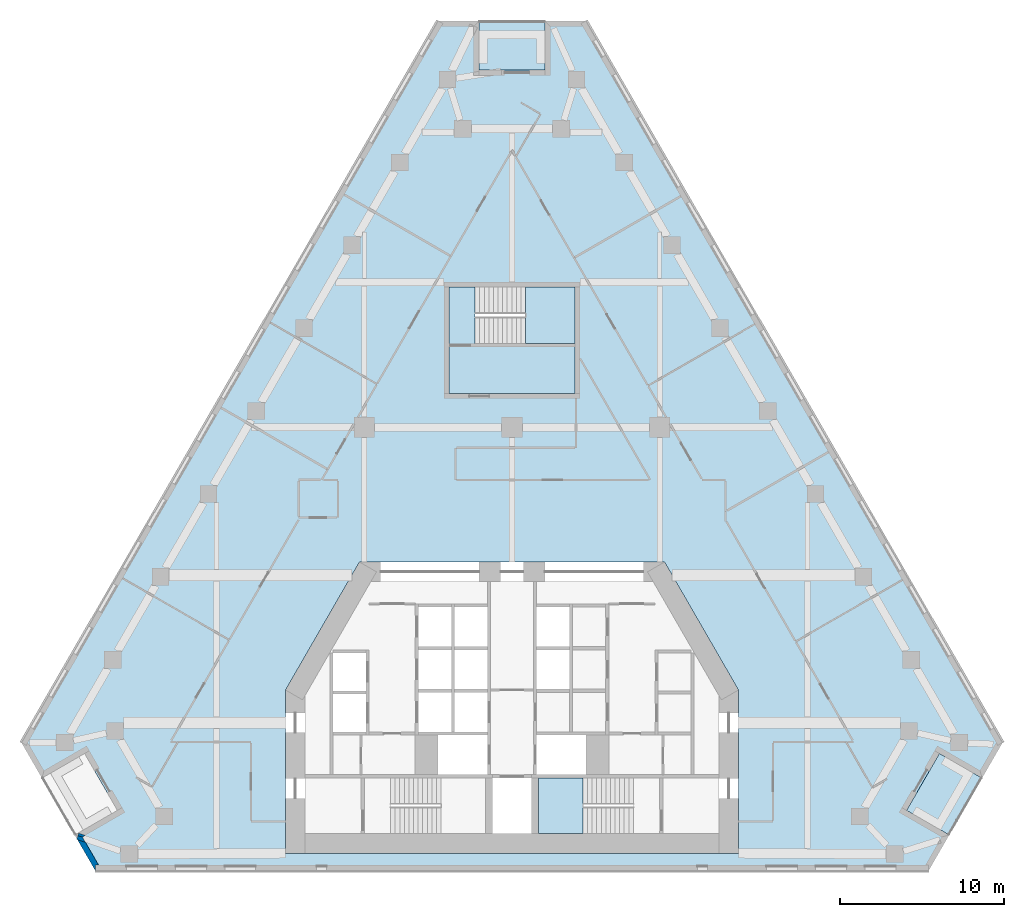
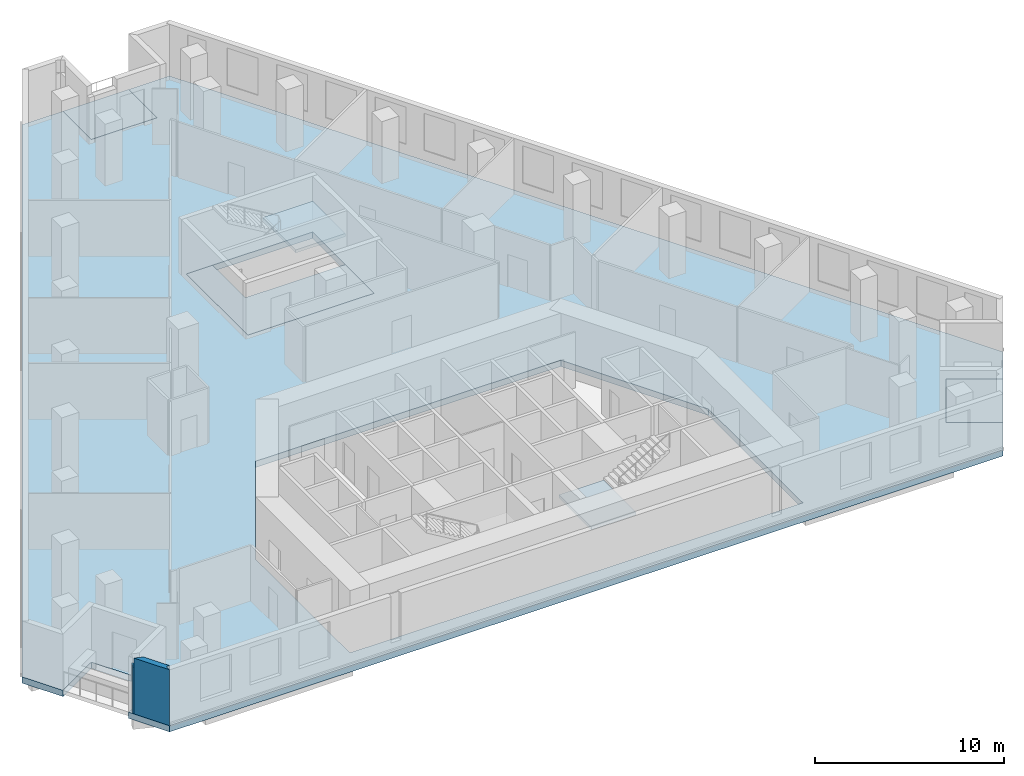
# One storey, part 2 of 10: 6 slabs, 3 walls, 2 elements without a shape of their own.
"""IFC4 building model written with IfcOpenShell, lengths in metres."""

from ifc_helpers import new_model, si_unit, direction, frame, origin, place, context, subcontext, project, spatial, polyline, outline, extrude, material, layer, layer_set, type_object, element, aggregate, save


model = new_model("IFC4")

# Units and contexts
model_context = context("Model", 3, precision=1e-05, world=origin(), true_north=direction((0.0, 1.0)))
body_context = subcontext(model_context, "Body", "Model", "MODEL_VIEW")
ifc_project = project(units=[si_unit("LENGTHUNIT", "METRE"), si_unit("AREAUNIT", "SQUARE_METRE"), si_unit("VOLUMEUNIT", "CUBIC_METRE"), si_unit("PLANEANGLEUNIT", "RADIAN"), si_unit("MASSUNIT", "GRAM", prefix="KILO")], contexts=[model_context])

# Site, building, storey
site_placement = place(None, origin())
site = spatial("IfcSite", under=ifc_project, at=site_placement, CompositionType="ELEMENT")
building_placement = place(site_placement, origin())
building = spatial("IfcBuilding", under=site, at=building_placement, Name="Fogline Exchange Tower", CompositionType="ELEMENT")
storey_placement = place(building_placement, frame((0.0, 0.0, 124.10009765625)))
storey = spatial("IfcBuildingStorey", under=building, at=storey_placement, Name="L27", CompositionType="ELEMENT", Elevation=124.10009765625)

# Slabs
ifc_material_1 = material(Name="Concrete C40", Category="concrete")
ifc_layer_1 = layer(ifc_material_1, 0.25)
ifc_layer_set_1 = layer_set([ifc_layer_1], Name="DK1")
slab_type_1 = type_object("IfcSlabType", Name="DK1", PredefinedType="FLOOR", material=ifc_layer_set_1)
slab_1_placement = place(storey_placement, frame((0.0, 0.0, -0.25)))
element("IfcSlab", 1, at=slab_1_placement, inside=storey, type_object=slab_type_1, Name="Balcony L27 SE", PredefinedType="FLOOR", context=body_context, shape_type="SweptSolid", body=[
    extrude(outline(polyline([(26.643310546875, 2.1650390625), (28.643310546875, 5.629150390625), (26.045166015625, 7.129150390625), (24.045166015625, 3.6650390625), (26.643310546875, 2.1650390625)])), origin(), (0.0, 0.0, 1.0), 0.25),
])
slab_2_placement = place(storey_placement, frame((0.0, 0.0, -0.25)))
element("IfcSlab", 2, at=slab_2_placement, inside=storey, type_object=slab_type_1, Name="Balcony L27 N", PredefinedType="FLOOR", context=body_context, shape_type="SweptSolid", body=[
    extrude(outline(polyline([(2.0, 51.776611328125), (-2.0, 51.776611328125), (-2.0, 48.776611328125), (2.0, 48.776611328125), (2.0, 51.776611328125)])), origin(), (0.0, 0.0, 1.0), 0.25),
])
ifc_layer_2 = layer(ifc_material_1, 0.39990234375)
ifc_layer_set_2 = layer_set([ifc_layer_2], Name="S03")
slab_type_2 = type_object("IfcSlabType", Name="S03", PredefinedType="FLOOR", material=ifc_layer_set_2)
slab_3_placement = place(storey_placement, frame((0.0, 0.0, -0.400146484375)))
element("IfcSlab", 3, at=slab_3_placement, inside=storey, type_object=slab_type_2, Name="SLAB L27", PredefinedType="FLOOR", context=body_context, shape_type="SweptSolid", body=[
    extrude(outline(polyline([(-2.0, 51.776611328125), (-4.5, 51.776611328125), (-29.893310546875, 7.794189453125), (-28.643310546875, 5.629150390625), (-26.045166015625, 7.129150390625), (-24.045166015625, 3.6650390625), (-26.643310546875, 2.1650390625), (-25.393310546875, 0.0), (25.393310546875, 0.0), (26.643310546875, 2.1650390625), (24.045166015625, 3.6650390625), (26.045166015625, 7.129150390625), (28.643310546875, 5.629150390625), (29.893310546875, 7.794189453125), (4.5, 51.776611328125), (2.0, 51.776611328125), (2.0, 48.776611328125), (-2.0, 48.776611328125), (-2.0, 51.776611328125)]), holes=[polyline([(13.800048828125, 10.9990234375), (13.800048828125, 1.050048828125), (-13.800048828125, 1.050048828125), (-13.800048828125, 10.9990234375), (-9.296142578125, 18.800048828125), (9.296142578125, 18.800048828125), (13.800048828125, 10.9990234375)]), polyline([(3.85009765625, 35.556884765625), (3.85009765625, 29.056884765625), (-3.85009765625, 29.056884765625), (-3.85009765625, 35.556884765625), (3.85009765625, 35.556884765625)])]), origin(), (0.0, 0.0, 1.0), 0.400146484375),
])
slab_4_placement = place(storey_placement, frame((0.0, 0.0, -0.400146484375)))
element("IfcSlab", 4, at=slab_4_placement, inside=storey, type_object=slab_type_2, Name="Stair enclosure floor slab", PredefinedType="FLOOR", context=body_context, shape_type="SweptSolid", body=[
    extrude(outline(polyline([(3.85009765625, 29.056884765625), (-3.85009765625, 29.056884765625), (-3.85009765625, 35.556884765625), (-2.239990234375, 35.556884765625), (-2.239990234375, 32.10693359375), (3.85009765625, 32.10693359375), (3.85009765625, 29.056884765625)])), origin(), (0.0, 0.0, 1.0), 0.400146484375),
])

# Stair, slab
stair_type = type_object("IfcStairType", Name="STR24-1667", PredefinedType="HALF_TURN_STAIR", material=ifc_material_1)
stair_1_placement = place(storey_placement, origin())
stair_1 = element("IfcStair", 5, at=stair_1_placement, inside=storey, type_object=stair_type, Name="Stair ST2", PredefinedType="HALF_TURN_STAIR")
ifc_layer_3 = layer(ifc_material_1, 0.199951171875)
ifc_layer_set_3 = layer_set([ifc_layer_3], Name="SL200")
slab_type_3 = type_object("IfcSlabType", Name="SL200", PredefinedType="LANDING", material=ifc_layer_set_3)
slab_5_placement = place(storey_placement, frame((0.0, 0.0, 1.7998046875)))
slab_5 = element("IfcSlab", 6, at=slab_5_placement, type_object=slab_type_3, Name="ST2 landing 1", PredefinedType="LANDING", context=body_context, shape_type="SweptSolid", body=[
    extrude(outline(polyline([(1.60009765625, 2.25), (4.320068359375, 2.25), (4.320068359375, 5.64990234375), (1.60009765625, 5.64990234375), (1.60009765625, 2.25)])), origin(), (0.0, 0.0, 1.0), 0.2001953125),
])
aggregate(stair_1, [slab_5])

stair_2_placement = place(storey_placement, origin())
stair_2 = element("IfcStair", 7, at=stair_2_placement, inside=storey, type_object=stair_type, Name="Stair ST3", PredefinedType="HALF_TURN_STAIR")
slab_6_placement = place(storey_placement, frame((0.0, 0.0, 1.7998046875)))
slab_6 = element("IfcSlab", 8, at=slab_6_placement, type_object=slab_type_3, Name="ST3 landing 1", PredefinedType="LANDING", context=body_context, shape_type="SweptSolid", body=[
    extrude(outline(polyline([(0.830078125, 32.10693359375), (3.85009765625, 32.10693359375), (3.85009765625, 35.556884765625), (0.830078125, 35.556884765625), (0.830078125, 32.10693359375)])), origin(), (0.0, 0.0, 1.0), 0.2001953125),
])
aggregate(stair_2, [slab_6])

# Walls
ifc_material_2 = material(Name="Brick masonry", Category="masonry")
ifc_layer_4 = layer(ifc_material_2, 0.340087890625)
ifc_layer_set_4 = layer_set([ifc_layer_4], Name="FW1")
wall_type = type_object("IfcWallType", Name="FW1", PredefinedType="SOLIDWALL", material=ifc_layer_set_4)
wall_1_placement = place(storey_placement, origin())
element("IfcWall", 9, at=wall_1_placement, inside=storey, type_object=wall_type, Name="Brick wall L27 SW-s2", PredefinedType="SOLIDWALL", context=body_context, shape_type="SweptSolid", body=[
    extrude(outline(polyline([(-26.1787109375, 2.0400390625), (-26.458984375, 2.114990234375), (-26.402587890625, 2.277587890625), (-26.005615234375, 2.139892578125), (-26.1787109375, 2.0400390625)])), origin(), (0.0, 0.0, 1.0), 3.0),
])
wall_2_placement = place(storey_placement, origin())
element("IfcWall", 10, at=wall_2_placement, inside=storey, type_object=wall_type, Name="Brick wall L27 SW-c2", PredefinedType="SOLIDWALL", context=body_context, shape_type="SweptSolid", body=[
    extrude(outline(polyline([(-26.517578125, 1.946044921875), (-26.45849609375, 2.1162109375), (-26.178466796875, 2.041015625), (-25.987548828125, 1.71044921875), (-26.47998046875, 1.881103515625), (-26.517578125, 1.946044921875)])), origin(), (0.0, 0.0, 1.0), 3.0),
])
wall_3_placement = place(storey_placement, origin())
element("IfcWall", 11, at=wall_3_placement, inside=storey, type_object=wall_type, Name="Brick wall L27 SW-c2", PredefinedType="SOLIDWALL", context=body_context, shape_type="SweptSolid", body=[
    extrude(outline(polyline([(-25.392578125, 0.33935546875), (-25.392578125, -0.0009765625), (-25.393310546875, -0.001220703125), (-26.47998046875, 1.881103515625), (-25.987548828125, 1.71044921875), (-25.196044921875, 0.33935546875), (-25.392578125, 0.33935546875)])), origin(), (0.0, 0.0, 1.0), 3.599853515625),
])

save(model, "model.ifc")
